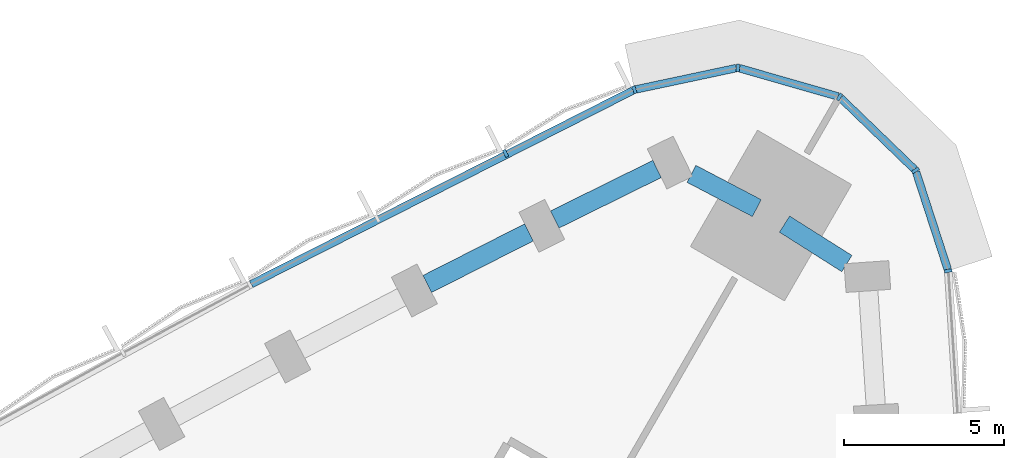
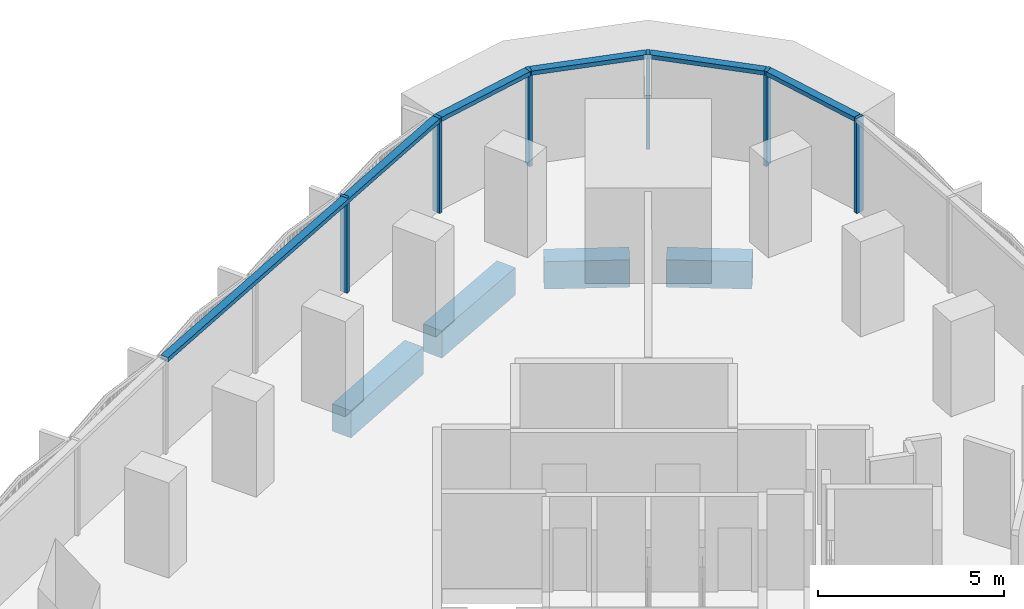
# One storey, part 6 of 15: 11 members, 4 beams, 2 elements without a shape of their own.
"""IFC4 building model written with IfcOpenShell, lengths in metres."""

from ifc_helpers import new_model, si_unit, direction, frame, origin, origin_2d, place, context, subcontext, project, spatial, rectangle, extrude, material, material_profile, profile_set, type_object, element, aggregate, save


model = new_model("IFC4")

# Units and contexts
model_context = context("Model", 3, precision=1e-05, world=origin(), true_north=direction((0.0, 1.0)))
body_context = subcontext(model_context, "Body", "Model", "MODEL_VIEW")
ifc_project = project(units=[si_unit("LENGTHUNIT", "METRE"), si_unit("AREAUNIT", "SQUARE_METRE"), si_unit("VOLUMEUNIT", "CUBIC_METRE"), si_unit("PLANEANGLEUNIT", "RADIAN"), si_unit("MASSUNIT", "GRAM", prefix="KILO")], contexts=[model_context])

# Site, building, storey
site_placement = place(None, origin())
site = spatial("IfcSite", under=ifc_project, at=site_placement, CompositionType="ELEMENT")
building_placement = place(site_placement, origin())
building = spatial("IfcBuilding", under=site, at=building_placement, Name="Tamra Quay Hotel Tower", CompositionType="ELEMENT")
storey_placement = place(building_placement, frame((0.0, 0.0, 53.0)))
storey = spatial("IfcBuildingStorey", under=building, at=storey_placement, Name="L11", CompositionType="ELEMENT", Elevation=53.0)

# Curtain wall, members
ifc_material_1 = material(Name="Aluminium 6063 anodised dark grey", Category="aluminium")
curtain_wall_type_1 = type_object("IfcCurtainWallType", Name="CW1 CURTAIN WALL", PredefinedType="NOTDEFINED", material=ifc_material_1)
curtain_wall_1_placement = place(storey_placement, origin())
curtain_wall_1 = element("IfcCurtainWall", 1, at=curtain_wall_1_placement, inside=storey, type_object=curtain_wall_type_1, Name="CW1 east face L11", PredefinedType="NOTDEFINED")
ifc_material_profile_1 = material_profile(ifc_material_1, rectangle(XDim=0.239990234375, YDim=0.10009765625, at=origin_2d()), Name="MULLION 100X240")
ifc_profile_set_1 = profile_set([ifc_material_profile_1], Name="Aluminium 6063 anodised dark grey")
member_type_1 = type_object("IfcMemberType", Name="MULLION CW1 Z1", PredefinedType="MULLION", material=ifc_profile_set_1)
member_1_placement = place(storey_placement, frame((23.40869140625, 29.2109375, 0.0), z_axis=(0.0, 0.0, 1.0), x_axis=(0.982094529733, 0.188388785943, 0.0)))
member_1 = element("IfcMember", 2, at=member_1_placement, type_object=member_type_1, Name="CW1 mullion L11.E.14", PredefinedType="MULLION", context=body_context, shape_type="SweptSolid", body=[
    extrude(rectangle(XDim=0.239990234375, YDim=0.10009765625, at=origin_2d()), origin(), (0.0, 0.0, 1.0), 3.125),
])
member_2_placement = place(storey_placement, frame((22.386474609375, 32.356201171875, 0.0), z_axis=(0.0, 0.0, 1.0), x_axis=(0.848039345356, 0.529933268183, 0.0)))
member_2 = element("IfcMember", 3, at=member_2_placement, type_object=member_type_1, Name="CW1 mullion L11.E.15", PredefinedType="MULLION", context=body_context, shape_type="SweptSolid", body=[
    extrude(rectangle(XDim=0.239990234375, YDim=0.10009765625, at=origin_2d()), origin(), (0.0, 0.0, 1.0), 3.125),
])
member_3_placement = place(storey_placement, frame((20.00732421875, 34.65380859375, 0.0), z_axis=(0.0, 0.0, 1.0), x_axis=(0.5, 0.866025403784, 0.0)))
member_3 = element("IfcMember", 4, at=member_3_placement, type_object=member_type_1, Name="CW1 mullion L11.E.16", PredefinedType="MULLION", context=body_context, shape_type="SweptSolid", body=[
    extrude(rectangle(XDim=0.239990234375, YDim=0.10009765625, at=origin_2d()), origin(), (0.0, 0.0, 1.0), 3.125),
])
member_4_placement = place(storey_placement, frame((16.828125, 35.5654296875, 0.0), z_axis=(0.0, 0.0, 1.0), x_axis=(0.034915999879, 0.999390250579, 0.0)))
member_4 = element("IfcMember", 5, at=member_4_placement, type_object=member_type_1, Name="CW1 mullion L11.E.17", PredefinedType="MULLION", context=body_context, shape_type="SweptSolid", body=[
    extrude(rectangle(XDim=0.239990234375, YDim=0.10009765625, at=origin_2d()), origin(), (0.0, 0.0, 1.0), 3.125),
])

curtain_wall_type_2 = type_object("IfcCurtainWallType", Name="CW2 CURTAIN WALL", PredefinedType="NOTDEFINED", material=ifc_material_1)
curtain_wall_2_placement = place(storey_placement, origin())
curtain_wall_2 = element("IfcCurtainWall", 6, at=curtain_wall_2_placement, inside=storey, type_object=curtain_wall_type_2, Name="CW2 north-west face L11", PredefinedType="NOTDEFINED")
ifc_material_profile_2 = material_profile(ifc_material_1, rectangle(XDim=0.239990234375, YDim=0.10009765625, at=origin_2d()), Name="MULLION 100X240")
ifc_profile_set_2 = profile_set([ifc_material_profile_2], Name="Aluminium 6063 anodised dark grey")
member_type_2 = type_object("IfcMemberType", Name="MULLION CW2 Z1", PredefinedType="MULLION", material=ifc_profile_set_2)
member_5_placement = place(storey_placement, frame((13.593017578125, 34.8779296875, 0.0), z_axis=(0.0, 0.0, 1.0), x_axis=(-0.327897790452, 0.944713204638, 0.0)))
member_5 = element("IfcMember", 7, at=member_5_placement, type_object=member_type_2, Name="CW2 mullion L11.NW.1", PredefinedType="MULLION", context=body_context, shape_type="SweptSolid", body=[
    extrude(rectangle(XDim=0.239990234375, YDim=0.10009765625, at=origin_2d()), origin(), (0.0, 0.0, 1.0), 3.125),
])
member_6_placement = place(storey_placement, frame((9.5615234375, 32.88671875, 0.0), z_axis=(0.0, 0.0, 1.0), x_axis=(-0.447640760231, 0.894213481099, 0.0)))
member_6 = element("IfcMember", 8, at=member_6_placement, type_object=member_type_2, Name="CW2 mullion L11.NW.2", PredefinedType="MULLION", context=body_context, shape_type="SweptSolid", body=[
    extrude(rectangle(XDim=0.239990234375, YDim=0.10009765625, at=origin_2d()), origin(), (0.0, 0.0, 1.0), 3.125),
])

# Beams
ifc_material_2 = material(Name="Concrete M60", Category="concrete")
ifc_material_profile_3 = material_profile(ifc_material_2, rectangle(XDim=0.60009765625, YDim=0.89990234375, at=origin_2d()), Name="SPANDREL BEAM RC 600x900")
ifc_profile_set_3 = profile_set([ifc_material_profile_3], Name="Concrete M60")
beam_type = type_object("IfcBeamType", Name="SPANDREL BEAM RC 600x900", PredefinedType="SPANDREL", material=ifc_profile_set_3)
beam_1_placement = place(storey_placement, frame((20.2373046875, 29.440185546875, -0.925048828125), z_axis=(-0.844978382684, 0.53480046073, 0.0), x_axis=(-0.53480046073, -0.844978382684, 0.0)))
element("IfcBeam", 9, at=beam_1_placement, inside=storey, type_object=beam_type, Name="BM-SP1-013-L11", PredefinedType="SPANDREL", context=body_context, shape_type="SweptSolid", body=[
    extrude(rectangle(XDim=0.60009765625, YDim=0.89990234375, at=origin_2d()), origin(), (0.0, 0.0, 1.0), 2.30859375),
])
beam_2_placement = place(storey_placement, frame((17.421630859375, 31.17431640625, -0.925048828125), z_axis=(-0.885674154565, 0.464307324879, 0.0), x_axis=(-0.464307324879, -0.885674154565, 0.0)))
element("IfcBeam", 10, at=beam_2_placement, inside=storey, type_object=beam_type, Name="BM-SP1-014-L11", PredefinedType="SPANDREL", context=body_context, shape_type="SweptSolid", body=[
    extrude(rectangle(XDim=0.60009765625, YDim=0.89990234375, at=origin_2d()), origin(), (0.0, 0.0, 1.0), 2.308349609375),
])
beam_3_placement = place(storey_placement, frame((14.301025390625, 32.3994140625, -0.925048828125), z_axis=(-0.896604328032, -0.442832563113, 0.0), x_axis=(0.442832563113, -0.896604328032, 0.0)))
element("IfcBeam", 11, at=beam_3_placement, inside=storey, type_object=beam_type, Name="BM-SP1-015-L11", PredefinedType="SPANDREL", context=body_context, shape_type="SweptSolid", body=[
    extrude(rectangle(XDim=0.60009765625, YDim=0.89990234375, at=origin_2d()), origin(), (0.0, 0.0, 1.0), 3.57080078125),
])
beam_4_placement = place(storey_placement, frame((10.294677734375, 30.415283203125, -0.925048828125), z_axis=(-0.891785652583, -0.452458119439, 0.0), x_axis=(0.452458119439, -0.891785652583, 0.0)))
element("IfcBeam", 12, at=beam_4_placement, inside=storey, type_object=beam_type, Name="BM-SP1-016-L11", PredefinedType="SPANDREL", context=body_context, shape_type="SweptSolid", body=[
    extrude(rectangle(XDim=0.60009765625, YDim=0.89990234375, at=origin_2d()), origin(), (0.0, 0.0, 1.0), 3.56982421875),
])

# Member
ifc_material_profile_4 = material_profile(ifc_material_1, rectangle(XDim=0.239990234375, YDim=0.139892578125, at=origin_2d()), Name="TRANSOM 240X140")
ifc_profile_set_4 = profile_set([ifc_material_profile_4], Name="Aluminium 6063 anodised dark grey")
member_type_3 = type_object("IfcMemberType", Name="TRANSOM CW1 Z1", PredefinedType="USERDEFINED", material=ifc_profile_set_4)
member_7_placement = place(storey_placement, frame((23.39306640625, 29.25830078125, 3.054931640625), z_axis=(-0.309025833938, 0.951053644102, 0.0), x_axis=(-0.951053644102, -0.309025833938, 0.0)))
member_7 = element("IfcMember", 13, at=member_7_placement, type_object=member_type_3, Name="CW1 transom L11.E.14", ObjectType="TRANSOM", PredefinedType="USERDEFINED", context=body_context, shape_type="SweptSolid", body=[
    extrude(rectangle(XDim=0.239990234375, YDim=0.139892578125, at=origin_2d()), origin(), (0.0, 0.0, 1.0), 3.20751953125),
])

member_8_placement = place(storey_placement, frame((22.3505859375, 32.39111328125, 3.054931640625), z_axis=(-0.719405395398, 0.694590438367, 0.0), x_axis=(-0.694590438367, -0.719405395398, 0.0)))
member_8 = element("IfcMember", 14, at=member_8_placement, type_object=member_type_3, Name="CW1 transom L11.E.15", ObjectType="TRANSOM", PredefinedType="USERDEFINED", context=body_context, shape_type="SweptSolid", body=[
    extrude(rectangle(XDim=0.239990234375, YDim=0.139892578125, at=origin_2d()), origin(), (0.0, 0.0, 1.0), 3.207275390625),
])

member_9_placement = place(storey_placement, frame((19.959228515625, 34.66748046875, 3.054931640625), z_axis=(-0.961262114071, 0.275635897612, 0.0), x_axis=(-0.275635897612, -0.961262114071, 0.0)))
member_9 = element("IfcMember", 15, at=member_9_placement, type_object=member_type_3, Name="CW1 transom L11.E.16", ObjectType="TRANSOM", PredefinedType="USERDEFINED", context=body_context, shape_type="SweptSolid", body=[
    extrude(rectangle(XDim=0.239990234375, YDim=0.139892578125, at=origin_2d()), origin(), (0.0, 0.0, 1.0), 3.207275390625),
])

member_10_placement = place(storey_placement, frame((16.779296875, 35.554931640625, 3.054931640625), z_axis=(-0.978156336052, -0.20787059013, 0.0), x_axis=(0.20787059013, -0.978156336052, 0.0)))
member_10 = element("IfcMember", 16, at=member_10_placement, type_object=member_type_3, Name="CW1 transom L11.E.17", ObjectType="TRANSOM", PredefinedType="USERDEFINED", context=body_context, shape_type="SweptSolid", body=[
    extrude(rectangle(XDim=0.239990234375, YDim=0.139892578125, at=origin_2d()), origin(), (0.0, 0.0, 1.0), 3.20751953125),
])

aggregate(curtain_wall_1, [member_1, member_7, member_2, member_8, member_3, member_9, member_4, member_10])

ifc_material_profile_5 = material_profile(ifc_material_1, rectangle(XDim=0.239990234375, YDim=0.139892578125, at=origin_2d()), Name="TRANSOM 240X140")
ifc_profile_set_5 = profile_set([ifc_material_profile_5], Name="Aluminium 6063 anodised dark grey")
member_type_4 = type_object("IfcMemberType", Name="TRANSOM CW2 Z1", PredefinedType="USERDEFINED", material=ifc_profile_set_5)
member_11_placement = place(storey_placement, frame((13.548095703125, 34.855712890625, 3.054931640625), z_axis=(-0.89178662734, -0.452456198208, 0.0), x_axis=(0.452456198208, -0.89178662734, 0.0)))
member_11 = element("IfcMember", 17, at=member_11_placement, type_object=member_type_4, Name="CW2 transom L11.NW.1", ObjectType="TRANSOM", PredefinedType="USERDEFINED", context=body_context, shape_type="SweptSolid", body=[
    extrude(rectangle(XDim=0.239990234375, YDim=0.139892578125, at=origin_2d()), origin(), (0.0, 0.0, 1.0), 13.39208984375),
])

aggregate(curtain_wall_2, [member_5, member_11, member_6])

save(model, "model.ifc")
